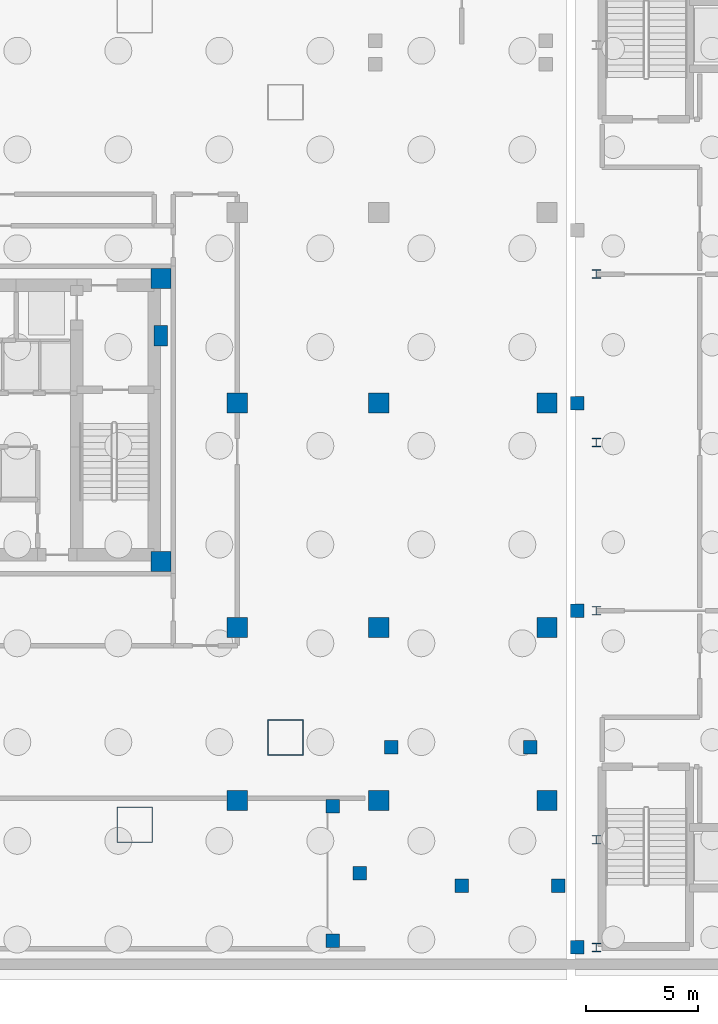
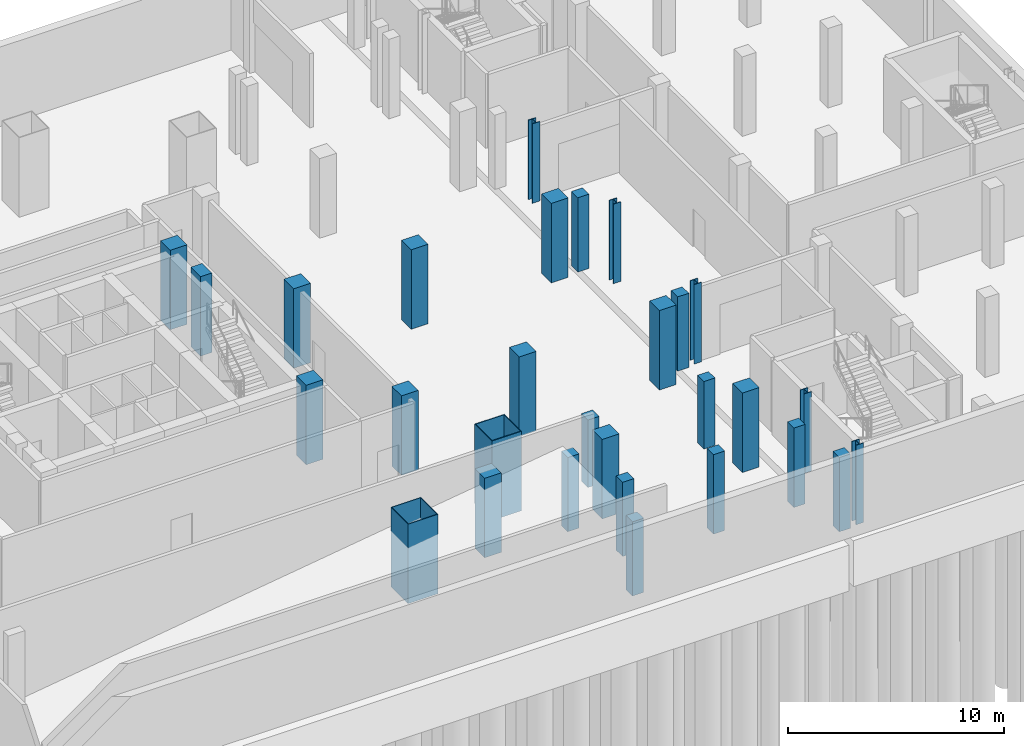
# One storey, part 2 of 15: 29 columns.
"""IFC4 building model written with IfcOpenShell, lengths in metres."""

from ifc_helpers import new_model, si_unit, direction, frame, origin, origin_2d, place, context, subcontext, project, spatial, rectangle, hollow_rectangle, i_section, extrude, material, material_profile, profile_set, type_object, element, save


model = new_model("IFC4")

# Units and contexts
model_context = context("Model", 3, precision=1e-05, world=origin(), true_north=direction((0.0, 1.0)))
body_context = subcontext(model_context, "Body", "Model", "MODEL_VIEW")
ifc_project = project(units=[si_unit("LENGTHUNIT", "METRE"), si_unit("AREAUNIT", "SQUARE_METRE"), si_unit("VOLUMEUNIT", "CUBIC_METRE"), si_unit("PLANEANGLEUNIT", "RADIAN"), si_unit("MASSUNIT", "GRAM", prefix="KILO")], contexts=[model_context])

# Site, building, storey
site_placement = place(None, origin())
site = spatial("IfcSite", under=ifc_project, at=site_placement, CompositionType="ELEMENT")
building_placement = place(site_placement, origin())
building = spatial("IfcBuilding", under=site, at=building_placement, Name="Mersakhor Tower and Convention Hall", CompositionType="ELEMENT")
storey_placement = place(building_placement, frame((0.0, 0.0, -9.0)))
storey = spatial("IfcBuildingStorey", under=building, at=storey_placement, Name="B02", CompositionType="ELEMENT", Elevation=-9.0)

# Columns
ifc_material_1 = material(Name="Concrete C70/85 in S460M steel box", Category="concrete")
ifc_material_profile_1 = material_profile(ifc_material_1, hollow_rectangle(XDim=1.60009765625, YDim=1.60009765625, WallThickness=0.0400390625, at=origin_2d()), Name="SHS 1600x1600x40")
ifc_profile_set_1 = profile_set([ifc_material_profile_1], Name="Concrete C70/85 in S460M steel box")
column_type_1 = type_object("IfcColumnType", Name="COL-CFT-1600", PredefinedType="COLUMN", material=ifc_profile_set_1)
for number, where, z_axis, x_axis, name in (
    (1, (41.64990234375, 12.595458984375, 0.0), (0.0, 0.0, 1.0), (1.0, 0.0, 0.0), "B02 Mega-Column Pedestal PIL-F2-2"),
    (2, (34.933349609375, 8.71728515625, 0.0), (0.0, 0.0, 1.0), (1.0, 0.0, 0.0), "B02 Mega-Column Pedestal PIL-F3-1"),
):
    element("IfcColumn", number, at=place(storey_placement, frame(where, z_axis=z_axis, x_axis=x_axis)), inside=storey, type_object=column_type_1, Name=name, PredefinedType="COLUMN", context=body_context, shape_type="SweptSolid", body=[
        extrude(hollow_rectangle(XDim=1.60009765625, YDim=1.60009765625, WallThickness=0.0400390625, at=origin_2d()), origin(), (0.0, 0.0, 1.0), 4.5),
    ])
ifc_material_2 = material(Name="Concrete C50/60", Category="concrete")
ifc_material_profile_2 = material_profile(ifc_material_2, rectangle(XDim=0.60009765625, YDim=0.60009765625, at=origin_2d()), Name="RC 600x600")
ifc_profile_set_2 = profile_set([ifc_material_profile_2], Name="Concrete C50/60")
column_type_2 = type_object("IfcColumnType", Name="COL-RC-600", PredefinedType="COLUMN", material=ifc_profile_set_2)
for number, where, z_axis, x_axis, name in (
    (3, (49.5, 6.0, 0.0), (0.0, 0.0, 1.0), (1.0, 0.0, 0.0), "B02 Plaza and Ramp Support Column OAS1"),
    (4, (53.800048828125, 6.0, 0.0), (0.0, 0.0, 1.0), (1.0, 0.0, 0.0), "B02 Plaza and Ramp Support Column OAS2"),
):
    element("IfcColumn", number, at=place(storey_placement, frame(where, z_axis=z_axis, x_axis=x_axis)), inside=storey, type_object=column_type_2, Name=name, PredefinedType="COLUMN", context=body_context, shape_type="SweptSolid", body=[
        extrude(rectangle(XDim=0.60009765625, YDim=0.60009765625, at=origin_2d()), origin(), (0.0, 0.0, 1.0), 4.5),
    ])
for number, where, z_axis, x_axis, name in (
    (5, (54.64990234375, 3.25, 0.0), (0.0, 0.0, 1.0), (1.0, 0.0, 0.0), "B02 Movement Joint West Support Column MJW-1"),
    (6, (54.64990234375, 18.25, 0.0), (0.0, 0.0, 1.0), (1.0, 0.0, 0.0), "B02 Movement Joint West Support Column MJW-2"),
    (7, (54.64990234375, 27.5, 0.0), (0.0, 0.0, 1.0), (1.0, 0.0, 0.0), "B02 Movement Joint West Support Column MJW-3"),
    (8, (43.75, 3.550048828125, 0.0), (0.0, 0.0, 1.0), (1.0, 0.0, 0.0), "B02 Vehicle Ramp Landing Column RCOL-1"),
    (9, (43.75, 9.550048828125, 0.0), (0.0, 0.0, 1.0), (1.0, 0.0, 0.0), "B02 Vehicle Ramp Landing Column RCOL-2"),
    (10, (44.949951171875, 6.550048828125, 0.0), (0.0, 0.0, 1.0), (1.0, 0.0, 0.0), "B02 Vehicle Ramp Landing Column RCOL-3"),
):
    element("IfcColumn", number, at=place(storey_placement, frame(where, z_axis=z_axis, x_axis=x_axis)), inside=storey, type_object=column_type_2, Name=name, PredefinedType="COLUMN", context=body_context, shape_type="SweptSolid", body=[
        extrude(rectangle(XDim=0.60009765625, YDim=0.60009765625, at=origin_2d()), origin(), (0.0, 0.0, 1.0), 4.199951171875),
    ])
for number, where, z_axis, x_axis, name in (
    (11, (46.35009765625, 12.179931640625, 0.0), (0.0, 0.0, 1.0), (1.0, 0.0, 0.0), "B02 Ramp Foot Support Column RFC-1"),
    (12, (52.550048828125, 12.179931640625, 0.0), (0.0, 0.0, 1.0), (1.0, 0.0, 0.0), "B02 Ramp Foot Support Column RFC-2"),
):
    element("IfcColumn", number, at=place(storey_placement, frame(where, z_axis=z_axis, x_axis=x_axis)), inside=storey, type_object=column_type_2, Name=name, PredefinedType="COLUMN", context=body_context, shape_type="SweptSolid", body=[
        extrude(rectangle(XDim=0.60009765625, YDim=0.60009765625, at=origin_2d()), origin(), (0.0, 0.0, 1.0), 3.820068359375),
    ])
ifc_material_3 = material(Name="Concrete C60/75", Category="concrete")
ifc_material_profile_3 = material_profile(ifc_material_3, rectangle(XDim=0.89990234375, YDim=0.89990234375, at=origin_2d()), Name="RC 900x900")
ifc_profile_set_3 = profile_set([ifc_material_profile_3], Name="Concrete C60/75")
column_type_3 = type_object("IfcColumnType", Name="COL-RC-900", PredefinedType="COLUMN", material=ifc_profile_set_3)
for number, where, z_axis, x_axis, name in (
    (13, (39.5, 9.800048828125, 0.0), (0.0, 0.0, 1.0), (1.0, 0.0, 0.0), "B02 Car Park Column G4-1"),
    (14, (39.5, 17.5, 0.0), (0.0, 0.0, 1.0), (1.0, 0.0, 0.0), "B02 Car Park Column G4-2"),
    (15, (39.5, 27.5, 0.0), (0.0, 0.0, 1.0), (1.0, 0.0, 0.0), "B02 Car Park Column G4-3"),
    (16, (45.800048828125, 9.800048828125, 0.0), (0.0, 0.0, 1.0), (1.0, 0.0, 0.0), "B02 Car Park Column G5-1"),
    (17, (45.800048828125, 17.5, 0.0), (0.0, 0.0, 1.0), (1.0, 0.0, 0.0), "B02 Car Park Column G5-2"),
    (18, (45.800048828125, 27.5, 0.0), (0.0, 0.0, 1.0), (1.0, 0.0, 0.0), "B02 Car Park Column G5-3"),
    (19, (53.300048828125, 9.800048828125, 0.0), (0.0, 0.0, 1.0), (1.0, 0.0, 0.0), "B02 Car Park Column G6-1"),
    (20, (53.300048828125, 17.5, 0.0), (0.0, 0.0, 1.0), (1.0, 0.0, 0.0), "B02 Car Park Column G6-2"),
    (21, (53.300048828125, 27.5, 0.0), (0.0, 0.0, 1.0), (1.0, 0.0, 0.0), "B02 Car Park Column G6-3"),
    (22, (36.10009765625, 33.050048828125, 0.0), (0.0, 0.0, 1.0), (1.0, 0.0, 0.0), "B02 Core Corner Column CC-3"),
    (23, (36.10009765625, 20.449951171875, 0.0), (0.0, 0.0, 1.0), (1.0, 0.0, 0.0), "B02 Core Corner Column CC-4"),
):
    element("IfcColumn", number, at=place(storey_placement, frame(where, z_axis=z_axis, x_axis=x_axis)), inside=storey, type_object=column_type_3, Name=name, PredefinedType="COLUMN", context=body_context, shape_type="SweptSolid", body=[
        extrude(rectangle(XDim=0.89990234375, YDim=0.89990234375, at=origin_2d()), origin(), (0.0, 0.0, 1.0), 4.5),
    ])
ifc_material_4 = material(Name="Steel S355", Category="steel")
ifc_material_profile_4 = material_profile(ifc_material_4, i_section(OverallWidth=0.39892578125, OverallDepth=0.3935546875, WebThickness=0.022705078125, FlangeThickness=0.03662109375, at=origin_2d()), Name="UC 356x406x287")
ifc_profile_set_4 = profile_set([ifc_material_profile_4], Name="Steel S355")
column_type_4 = type_object("IfcColumnType", Name="COL-STL-UC356", PredefinedType="COLUMN", material=ifc_profile_set_4)
for number, where, z_axis, x_axis, name in (
    (24, (55.5, 3.25, 0.0), (0.0, 0.0, 1.0), (1.0, 0.0, 0.0), "Convention B02 Perimeter Column SC-W1"),
    (25, (55.5, 8.050048828125, 0.0), (0.0, 0.0, 1.0), (1.0, 0.0, 0.0), "Convention B02 Perimeter Column SC-W2"),
    (26, (55.5, 18.25, 0.0), (0.0, 0.0, 1.0), (1.0, 0.0, 0.0), "Convention B02 Perimeter Column SC-W3"),
    (27, (55.5, 25.75, 0.0), (0.0, 0.0, 1.0), (1.0, 0.0, 0.0), "Convention B02 Perimeter Column SC-W4"),
    (28, (55.5, 33.25, 0.0), (0.0, 0.0, 1.0), (1.0, 0.0, 0.0), "Convention B02 Perimeter Column SC-W5"),
):
    element("IfcColumn", number, at=place(storey_placement, frame(where, z_axis=z_axis, x_axis=x_axis)), inside=storey, type_object=column_type_4, Name=name, PredefinedType="COLUMN", context=body_context, shape_type="SweptSolid", body=[
        extrude(i_section(OverallWidth=0.39892578125, OverallDepth=0.3935546875, WebThickness=0.022705078125, FlangeThickness=0.03662109375, at=origin_2d()), origin(), (0.0, 0.0, 1.0), 4.5),
    ])
ifc_material_5 = material(Name="Concrete C50/60", Category="concrete")
ifc_material_profile_5 = material_profile(ifc_material_5, rectangle(XDim=0.60009765625, YDim=0.89990234375, at=origin_2d()), Name="RC 600x900")
ifc_profile_set_5 = profile_set([ifc_material_profile_5], Name="Concrete C50/60")
column_type_5 = type_object("IfcColumnType", Name="PIL-RC-600x900", PredefinedType="PILASTER", material=ifc_profile_set_5)
column_placement = place(storey_placement, frame((36.10009765625, 30.5, 0.0), z_axis=(0.0, 0.0, 1.0), x_axis=(1.0, 0.0, 0.0)))
element("IfcColumn", 29, at=column_placement, inside=storey, type_object=column_type_5, Name="B02 Core Wall Pilaster CP-2", PredefinedType="PILASTER", context=body_context, shape_type="SweptSolid", body=[
    extrude(rectangle(XDim=0.60009765625, YDim=0.89990234375, at=origin_2d()), origin(), (0.0, 0.0, 1.0), 4.5),
])

save(model, "model.ifc")
